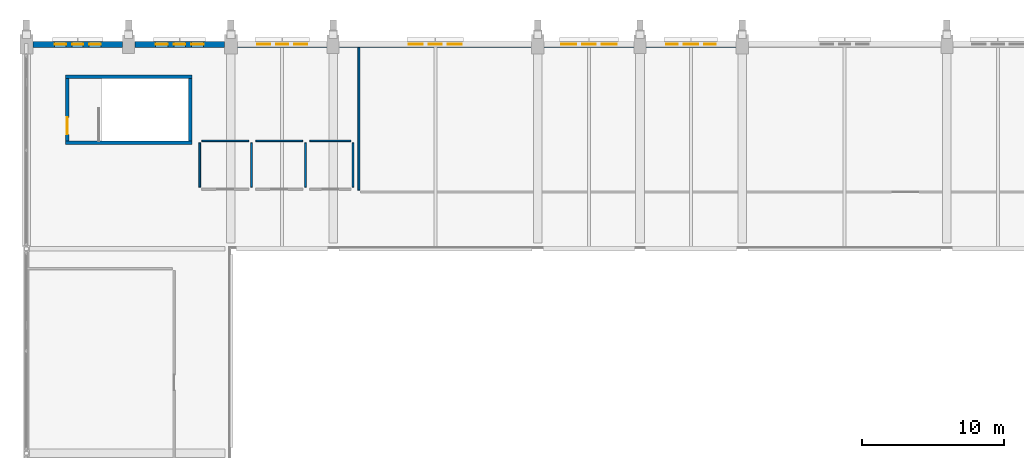
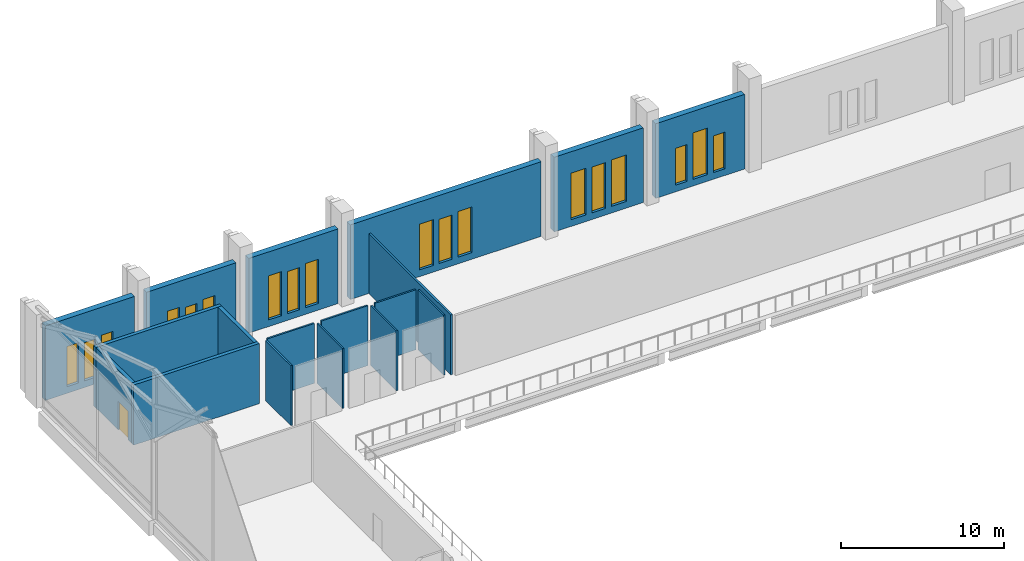
# One storey, part 169 of 220: 18 walls, 18 windows, 1 door, 19 openings.
"""IFC4 building model written with IfcOpenShell, lengths in metres."""

from ifc_helpers import new_model, si_unit, direction, frame, frame_2d, origin, place, context, subcontext, project, spatial, rectangle, extrude, material, layer, layer_set, type_object, element, fill, save


model = new_model("IFC4")

# Units and contexts
model_context = context("Model", 3, precision=1e-05, world=origin(), true_north=direction((0.0, 1.0)))
body_context = subcontext(model_context, "Body", "Model", "MODEL_VIEW")
ifc_project = project(units=[si_unit("LENGTHUNIT", "METRE"), si_unit("AREAUNIT", "SQUARE_METRE"), si_unit("VOLUMEUNIT", "CUBIC_METRE"), si_unit("PLANEANGLEUNIT", "RADIAN"), si_unit("MASSUNIT", "GRAM", prefix="KILO")], contexts=[model_context])

# Site, building, storey
site_placement = place(None, origin())
site = spatial("IfcSite", under=ifc_project, at=site_placement, CompositionType="ELEMENT")
building_placement = place(site_placement, origin())
building = spatial("IfcBuilding", under=site, at=building_placement, Name="Cendralis Lancet Convention Centre", CompositionType="ELEMENT")
storey_placement = place(building_placement, frame((0.0, 0.0, 5.39990234375)))
storey = spatial("IfcBuildingStorey", under=building, at=storey_placement, Name="L01", CompositionType="ELEMENT", Elevation=5.39990234375)

# Wall, openings, windows
ifc_material_1 = material(Name="Buff sandstone ashlar and Concrete G40 (C40/50)", Category="masonry")
ifc_layer_1 = layer(ifc_material_1, 0.419921875, Name="Buff sandstone ashlar and Concrete G40 (C40/50)")
ifc_layer_set_1 = layer_set([ifc_layer_1], Name="Buff sandstone ashlar and Concrete G40 (C40/50)")
wall_type_1 = type_object("IfcWallType", Name="ARC-EW-W420", PredefinedType="STANDARD", material=ifc_layer_set_1)
wall_1_placement = place(storey_placement, frame((0.4580078125, 136.800048828125, 0.0), z_axis=(0.0, 0.0, 1.0), x_axis=(1.0, 0.0, 0.0)))
wall_1 = element("IfcWall", 1, at=wall_1_placement, inside=storey, type_object=wall_type_1, Name="L01 V1 Exterior Wall EW-01 #0037", PredefinedType="STANDARD", context=body_context, shape_type="SweptSolid", body=[
    extrude(rectangle(XDim=6.30908203125, YDim=0.419921875, at=frame_2d((3.154541015625, 0.0))), origin(), (0.0, 0.0, 1.0), 5.585205078125),
])
opening_1_placement = place(wall_1_placement, frame((1.5244140625, 0.0, 0.5)))
opening_1 = element("IfcOpeningElement", 2, at=opening_1_placement, cuts=wall_1, Name="Opening WN-02", PredefinedType="OPENING", context=body_context, shape_type="SweptSolid", body=[
    extrude(rectangle(XDim=0.820068359375, YDim=3.0, at=frame_2d((0.41015625, 1.5))), frame((0.0, 0.219970703125, 0.0), z_axis=(0.0, -1.0, 0.0), x_axis=(1.0, 0.0, 0.0)), (0.0, 0.0, 1.0), 0.43994140625),
])
opening_2_placement = place(wall_1_placement, frame((2.764404296875, 0.0, 0.5)))
opening_2 = element("IfcOpeningElement", 3, at=opening_2_placement, cuts=wall_1, Name="Opening WN-01", PredefinedType="OPENING", context=body_context, shape_type="SweptSolid", body=[
    extrude(rectangle(XDim=0.780029296875, YDim=2.85009765625, at=frame_2d((0.39013671875, 1.425048828125))), frame((0.0, 0.219970703125, 0.0), z_axis=(0.0, -1.0, 0.0), x_axis=(1.0, 0.0, 0.0)), (0.0, 0.0, 1.0), 0.43994140625),
])
opening_3_placement = place(wall_1_placement, frame((3.964599609375, 0.0, 0.5)))
opening_3 = element("IfcOpeningElement", 4, at=opening_3_placement, cuts=wall_1, Name="Opening WN-02", PredefinedType="OPENING", context=body_context, shape_type="SweptSolid", body=[
    extrude(rectangle(XDim=0.820068359375, YDim=3.0, at=frame_2d((0.41015625, 1.5))), frame((0.0, 0.219970703125, 0.0), z_axis=(0.0, -1.0, 0.0), x_axis=(1.0, 0.0, 0.0)), (0.0, 0.0, 1.0), 0.43994140625),
])
ifc_material_2 = material(Name="Double-glazed low-E solar-control glass", Category="glass")
window_type_1 = type_object("IfcWindowType", Name="ARC-WN-LW01", PartitioningType="SINGLE_PANEL", PredefinedType="WINDOW", material=ifc_material_2)
window_1_placement = place(opening_2_placement, origin())
window_1 = element("IfcWindow", 5, at=window_1_placement, inside=storey, type_object=window_type_1, Name="Gothic Lancet Window WN-01 #0032", OverallHeight=2.85009765625, OverallWidth=0.780029296875, PartitioningType="SINGLE_PANEL", PredefinedType="WINDOW", context=body_context, shape_type="SweptSolid", body=[
    extrude(rectangle(XDim=0.780029296875, YDim=2.85009765625, at=frame_2d((0.39013671875, 1.425048828125))), frame((0.0, 0.030029296875, 0.0), z_axis=(0.0, -1.0, 0.0), x_axis=(1.0, 0.0, 0.0)), (0.0, 0.0, 1.0), 0.06005859375),
])
fill(opening_2, window_1)
window_type_2 = type_object("IfcWindowType", Name="ARC-WN-LW02", PartitioningType="SINGLE_PANEL", PredefinedType="WINDOW", material=ifc_material_2)
window_2_placement = place(opening_1_placement, origin())
window_2 = element("IfcWindow", 6, at=window_2_placement, inside=storey, type_object=window_type_2, Name="Gothic Lancet Window WN-02 #0031", OverallHeight=3.0, OverallWidth=0.820068359375, PartitioningType="SINGLE_PANEL", PredefinedType="WINDOW", context=body_context, shape_type="SweptSolid", body=[
    extrude(rectangle(XDim=0.820068359375, YDim=3.0, at=frame_2d((0.41015625, 1.5))), frame((0.0, 0.030029296875, 0.0), z_axis=(0.0, -1.0, 0.0), x_axis=(1.0, 0.0, 0.0)), (0.0, 0.0, 1.0), 0.06005859375),
])
fill(opening_1, window_2)
window_3_placement = place(opening_3_placement, origin())
window_3 = element("IfcWindow", 7, at=window_3_placement, inside=storey, type_object=window_type_2, Name="Gothic Lancet Window WN-02 #0033", OverallHeight=3.0, OverallWidth=0.820068359375, PartitioningType="SINGLE_PANEL", PredefinedType="WINDOW", context=body_context, shape_type="SweptSolid", body=[
    extrude(rectangle(XDim=0.820068359375, YDim=3.0, at=frame_2d((0.41015625, 1.5))), frame((0.0, 0.030029296875, 0.0), z_axis=(0.0, -1.0, 0.0), x_axis=(1.0, 0.0, 0.0)), (0.0, 0.0, 1.0), 0.06005859375),
])
fill(opening_3, window_3)

wall_2_placement = place(storey_placement, frame((7.633056640625, 136.800048828125, 0.0), z_axis=(0.0, 0.0, 1.0), x_axis=(1.0, 0.0, 0.0)))
wall_2 = element("IfcWall", 8, at=wall_2_placement, inside=storey, type_object=wall_type_1, Name="L01 V1 Exterior Wall EW-01 #0038", PredefinedType="STANDARD", context=body_context, shape_type="SweptSolid", body=[
    extrude(rectangle(XDim=6.308837890625, YDim=0.419921875, at=frame_2d((3.154296875, 0.0))), origin(), (0.0, 0.0, 1.0), 5.585205078125),
])
opening_4_placement = place(wall_2_placement, frame((1.464599609375, 0.0, 0.5)))
opening_4 = element("IfcOpeningElement", 9, at=opening_4_placement, cuts=wall_2, Name="Opening WN-03", PredefinedType="OPENING", context=body_context, shape_type="SweptSolid", body=[
    extrude(rectangle(XDim=0.860107421875, YDim=3.14990234375, at=frame_2d((0.43017578125, 1.574951171875))), frame((0.0, 0.219970703125, 0.0), z_axis=(0.0, -1.0, 0.0), x_axis=(1.0, 0.0, 0.0)), (0.0, 0.0, 1.0), 0.43994140625),
])
opening_5_placement = place(wall_2_placement, frame((2.744384765625, 0.0, 0.5)))
opening_5 = element("IfcOpeningElement", 10, at=opening_5_placement, cuts=wall_2, Name="Opening WN-02", PredefinedType="OPENING", context=body_context, shape_type="SweptSolid", body=[
    extrude(rectangle(XDim=0.820068359375, YDim=3.0, at=frame_2d((0.41015625, 1.5))), frame((0.0, 0.219970703125, 0.0), z_axis=(0.0, -1.0, 0.0), x_axis=(1.0, 0.0, 0.0)), (0.0, 0.0, 1.0), 0.43994140625),
])
opening_6_placement = place(wall_2_placement, frame((3.984619140625, 0.0, 0.5)))
opening_6 = element("IfcOpeningElement", 11, at=opening_6_placement, cuts=wall_2, Name="Opening WN-03", PredefinedType="OPENING", context=body_context, shape_type="SweptSolid", body=[
    extrude(rectangle(XDim=0.860107421875, YDim=3.14990234375, at=frame_2d((0.43017578125, 1.574951171875))), frame((0.0, 0.219970703125, 0.0), z_axis=(0.0, -1.0, 0.0), x_axis=(1.0, 0.0, 0.0)), (0.0, 0.0, 1.0), 0.43994140625),
])
window_4_placement = place(opening_5_placement, origin())
window_4 = element("IfcWindow", 12, at=window_4_placement, inside=storey, type_object=window_type_2, Name="Gothic Lancet Window WN-02 #0035", OverallHeight=3.0, OverallWidth=0.820068359375, PartitioningType="SINGLE_PANEL", PredefinedType="WINDOW", context=body_context, shape_type="SweptSolid", body=[
    extrude(rectangle(XDim=0.820068359375, YDim=3.0, at=frame_2d((0.41015625, 1.5))), frame((0.0, 0.030029296875, 0.0), z_axis=(0.0, -1.0, 0.0), x_axis=(1.0, 0.0, 0.0)), (0.0, 0.0, 1.0), 0.06005859375),
])
fill(opening_5, window_4)
window_type_3 = type_object("IfcWindowType", Name="ARC-WN-LW03", PartitioningType="SINGLE_PANEL", PredefinedType="WINDOW", material=ifc_material_2)
window_5_placement = place(opening_4_placement, origin())
window_5 = element("IfcWindow", 13, at=window_5_placement, inside=storey, type_object=window_type_3, Name="Gothic Lancet Window WN-03 #0034", OverallHeight=3.14990234375, OverallWidth=0.860107421875, PartitioningType="SINGLE_PANEL", PredefinedType="WINDOW", context=body_context, shape_type="SweptSolid", body=[
    extrude(rectangle(XDim=0.860107421875, YDim=3.14990234375, at=frame_2d((0.43017578125, 1.574951171875))), frame((0.0, 0.030029296875, 0.0), z_axis=(0.0, -1.0, 0.0), x_axis=(1.0, 0.0, 0.0)), (0.0, 0.0, 1.0), 0.06005859375),
])
fill(opening_4, window_5)
window_6_placement = place(opening_6_placement, origin())
window_6 = element("IfcWindow", 14, at=window_6_placement, inside=storey, type_object=window_type_3, Name="Gothic Lancet Window WN-03 #0036", OverallHeight=3.14990234375, OverallWidth=0.860107421875, PartitioningType="SINGLE_PANEL", PredefinedType="WINDOW", context=body_context, shape_type="SweptSolid", body=[
    extrude(rectangle(XDim=0.860107421875, YDim=3.14990234375, at=frame_2d((0.43017578125, 1.574951171875))), frame((0.0, 0.030029296875, 0.0), z_axis=(0.0, -1.0, 0.0), x_axis=(1.0, 0.0, 0.0)), (0.0, 0.0, 1.0), 0.06005859375),
])
fill(opening_6, window_6)

wall_3_placement = place(storey_placement, frame((14.85791015625, 136.800048828125, 0.0), z_axis=(0.0, 0.0, 1.0), x_axis=(1.0, 0.0, 0.0)))
wall_3 = element("IfcWall", 15, at=wall_3_placement, inside=storey, type_object=wall_type_1, Name="L01 V1 Exterior Wall EW-01 #0039", PredefinedType="STANDARD", context=body_context, shape_type="SweptSolid", body=[
    extrude(rectangle(XDim=6.30908203125, YDim=0.419921875, at=frame_2d((3.154541015625, 0.0))), origin(), (0.0, 0.0, 1.0), 5.585205078125),
])
opening_7_placement = place(wall_3_placement, frame((1.384521484375, 0.0, 0.5)))
opening_7 = element("IfcOpeningElement", 16, at=opening_7_placement, cuts=wall_3, Name="Opening WN-04", PredefinedType="OPENING", context=body_context, shape_type="SweptSolid", body=[
    extrude(rectangle(XDim=0.919921875, YDim=3.300048828125, at=frame_2d((0.4599609375, 1.64990234375))), frame((0.0, 0.219970703125, 0.0), z_axis=(0.0, -1.0, 0.0), x_axis=(1.0, 0.0, 0.0)), (0.0, 0.0, 1.0), 0.43994140625),
])
opening_8_placement = place(wall_3_placement, frame((2.724609375, 0.0, 0.5)))
opening_8 = element("IfcOpeningElement", 17, at=opening_8_placement, cuts=wall_3, Name="Opening WN-03", PredefinedType="OPENING", context=body_context, shape_type="SweptSolid", body=[
    extrude(rectangle(XDim=0.860107421875, YDim=3.14990234375, at=frame_2d((0.43017578125, 1.574951171875))), frame((0.0, 0.219970703125, 0.0), z_axis=(0.0, -1.0, 0.0), x_axis=(1.0, 0.0, 0.0)), (0.0, 0.0, 1.0), 0.43994140625),
])
opening_9_placement = place(wall_3_placement, frame((4.00439453125, 0.0, 0.5)))
opening_9 = element("IfcOpeningElement", 18, at=opening_9_placement, cuts=wall_3, Name="Opening WN-04", PredefinedType="OPENING", context=body_context, shape_type="SweptSolid", body=[
    extrude(rectangle(XDim=0.919921875, YDim=3.300048828125, at=frame_2d((0.4599609375, 1.64990234375))), frame((0.0, 0.219970703125, 0.0), z_axis=(0.0, -1.0, 0.0), x_axis=(1.0, 0.0, 0.0)), (0.0, 0.0, 1.0), 0.43994140625),
])
window_7_placement = place(opening_8_placement, origin())
window_7 = element("IfcWindow", 19, at=window_7_placement, inside=storey, type_object=window_type_3, Name="Gothic Lancet Window WN-03 #0038", OverallHeight=3.14990234375, OverallWidth=0.860107421875, PartitioningType="SINGLE_PANEL", PredefinedType="WINDOW", context=body_context, shape_type="SweptSolid", body=[
    extrude(rectangle(XDim=0.860107421875, YDim=3.14990234375, at=frame_2d((0.43017578125, 1.574951171875))), frame((0.0, 0.030029296875, 0.0), z_axis=(0.0, -1.0, 0.0), x_axis=(1.0, 0.0, 0.0)), (0.0, 0.0, 1.0), 0.06005859375),
])
fill(opening_8, window_7)
window_type_4 = type_object("IfcWindowType", Name="ARC-WN-LW04", PartitioningType="SINGLE_PANEL", PredefinedType="WINDOW", material=ifc_material_2)
window_8_placement = place(opening_7_placement, origin())
window_8 = element("IfcWindow", 20, at=window_8_placement, inside=storey, type_object=window_type_4, Name="Gothic Lancet Window WN-04 #0037", OverallHeight=3.300048828125, OverallWidth=0.919921875, PartitioningType="SINGLE_PANEL", PredefinedType="WINDOW", context=body_context, shape_type="SweptSolid", body=[
    extrude(rectangle(XDim=0.919921875, YDim=3.300048828125, at=frame_2d((0.4599609375, 1.64990234375))), frame((0.0, 0.030029296875, 0.0), z_axis=(0.0, -1.0, 0.0), x_axis=(1.0, 0.0, 0.0)), (0.0, 0.0, 1.0), 0.06005859375),
])
fill(opening_7, window_8)
window_9_placement = place(opening_9_placement, origin())
window_9 = element("IfcWindow", 21, at=window_9_placement, inside=storey, type_object=window_type_4, Name="Gothic Lancet Window WN-04 #0039", OverallHeight=3.300048828125, OverallWidth=0.919921875, PartitioningType="SINGLE_PANEL", PredefinedType="WINDOW", context=body_context, shape_type="SweptSolid", body=[
    extrude(rectangle(XDim=0.919921875, YDim=3.300048828125, at=frame_2d((0.4599609375, 1.64990234375))), frame((0.0, 0.030029296875, 0.0), z_axis=(0.0, -1.0, 0.0), x_axis=(1.0, 0.0, 0.0)), (0.0, 0.0, 1.0), 0.06005859375),
])
fill(opening_9, window_9)

wall_4_placement = place(storey_placement, frame((22.032958984375, 136.800048828125, 0.0), z_axis=(0.0, 0.0, 1.0), x_axis=(1.0, 0.0, 0.0)))
wall_4 = element("IfcWall", 22, at=wall_4_placement, inside=storey, type_object=wall_type_1, Name="L01 V1 Exterior Wall EW-01 #0040", PredefinedType="STANDARD", context=body_context, shape_type="SweptSolid", body=[
    extrude(rectangle(XDim=13.509033203125, YDim=0.419921875, at=frame_2d((6.75439453125, 0.0))), origin(), (0.0, 0.0, 1.0), 5.585205078125),
])
opening_10_placement = place(wall_4_placement, frame((4.89453125, 0.0, 0.5)))
opening_10 = element("IfcOpeningElement", 23, at=opening_10_placement, cuts=wall_4, Name="Opening WN-05", PredefinedType="OPENING", context=body_context, shape_type="SweptSolid", body=[
    extrude(rectangle(XDim=0.97998046875, YDim=3.419921875, at=frame_2d((0.489990234375, 1.7099609375))), frame((0.0, 0.219970703125, 0.0), z_axis=(0.0, -1.0, 0.0), x_axis=(1.0, 0.0, 0.0)), (0.0, 0.0, 1.0), 0.43994140625),
])
opening_11_placement = place(wall_4_placement, frame((6.29443359375, 0.0, 0.5)))
opening_11 = element("IfcOpeningElement", 24, at=opening_11_placement, cuts=wall_4, Name="Opening WN-04", PredefinedType="OPENING", context=body_context, shape_type="SweptSolid", body=[
    extrude(rectangle(XDim=0.919921875, YDim=3.300048828125, at=frame_2d((0.4599609375, 1.64990234375))), frame((0.0, 0.219970703125, 0.0), z_axis=(0.0, -1.0, 0.0), x_axis=(1.0, 0.0, 0.0)), (0.0, 0.0, 1.0), 0.43994140625),
])
opening_12_placement = place(wall_4_placement, frame((7.634521484375, 0.0, 0.5)))
opening_12 = element("IfcOpeningElement", 25, at=opening_12_placement, cuts=wall_4, Name="Opening WN-05", PredefinedType="OPENING", context=body_context, shape_type="SweptSolid", body=[
    extrude(rectangle(XDim=0.97998046875, YDim=3.419921875, at=frame_2d((0.489990234375, 1.7099609375))), frame((0.0, 0.219970703125, 0.0), z_axis=(0.0, -1.0, 0.0), x_axis=(1.0, 0.0, 0.0)), (0.0, 0.0, 1.0), 0.43994140625),
])
window_10_placement = place(opening_11_placement, origin())
window_10 = element("IfcWindow", 26, at=window_10_placement, inside=storey, type_object=window_type_4, Name="Gothic Lancet Window WN-04 #0041", OverallHeight=3.300048828125, OverallWidth=0.919921875, PartitioningType="SINGLE_PANEL", PredefinedType="WINDOW", context=body_context, shape_type="SweptSolid", body=[
    extrude(rectangle(XDim=0.919921875, YDim=3.300048828125, at=frame_2d((0.4599609375, 1.64990234375))), frame((0.0, 0.030029296875, 0.0), z_axis=(0.0, -1.0, 0.0), x_axis=(1.0, 0.0, 0.0)), (0.0, 0.0, 1.0), 0.06005859375),
])
fill(opening_11, window_10)
window_type_5 = type_object("IfcWindowType", Name="ARC-WN-LW05", PartitioningType="SINGLE_PANEL", PredefinedType="WINDOW", material=ifc_material_2)
window_11_placement = place(opening_10_placement, origin())
window_11 = element("IfcWindow", 27, at=window_11_placement, inside=storey, type_object=window_type_5, Name="Gothic Lancet Window WN-05 #0040", OverallHeight=3.419921875, OverallWidth=0.97998046875, PartitioningType="SINGLE_PANEL", PredefinedType="WINDOW", context=body_context, shape_type="SweptSolid", body=[
    extrude(rectangle(XDim=0.97998046875, YDim=3.419921875, at=frame_2d((0.489990234375, 1.7099609375))), frame((0.0, 0.030029296875, 0.0), z_axis=(0.0, -1.0, 0.0), x_axis=(1.0, 0.0, 0.0)), (0.0, 0.0, 1.0), 0.06005859375),
])
fill(opening_10, window_11)
window_12_placement = place(opening_12_placement, origin())
window_12 = element("IfcWindow", 28, at=window_12_placement, inside=storey, type_object=window_type_5, Name="Gothic Lancet Window WN-05 #0042", OverallHeight=3.419921875, OverallWidth=0.97998046875, PartitioningType="SINGLE_PANEL", PredefinedType="WINDOW", context=body_context, shape_type="SweptSolid", body=[
    extrude(rectangle(XDim=0.97998046875, YDim=3.419921875, at=frame_2d((0.489990234375, 1.7099609375))), frame((0.0, 0.030029296875, 0.0), z_axis=(0.0, -1.0, 0.0), x_axis=(1.0, 0.0, 0.0)), (0.0, 0.0, 1.0), 0.06005859375),
])
fill(opening_12, window_12)

wall_5_placement = place(storey_placement, frame((36.4580078125, 136.800048828125, 0.0), z_axis=(0.0, 0.0, 1.0), x_axis=(1.0, 0.0, 0.0)))
wall_5 = element("IfcWall", 29, at=wall_5_placement, inside=storey, type_object=wall_type_1, Name="L01 V1 Exterior Wall EW-01 #0041", PredefinedType="STANDARD", context=body_context, shape_type="SweptSolid", body=[
    extrude(rectangle(XDim=6.30908203125, YDim=0.419921875, at=frame_2d((3.154541015625, 0.0))), origin(), (0.0, 0.0, 1.0), 5.585205078125),
])
opening_13_placement = place(wall_5_placement, frame((1.20458984375, 0.0, 0.5)))
opening_13 = element("IfcOpeningElement", 30, at=opening_13_placement, cuts=wall_5, Name="Opening WN-06", PredefinedType="OPENING", context=body_context, shape_type="SweptSolid", body=[
    extrude(rectangle(XDim=1.0400390625, YDim=3.47998046875, at=frame_2d((0.52001953125, 1.739990234375))), frame((0.0, 0.219970703125, 0.0), z_axis=(0.0, -1.0, 0.0), x_axis=(1.0, 0.0, 0.0)), (0.0, 0.0, 1.0), 0.43994140625),
])
opening_14_placement = place(wall_5_placement, frame((2.66455078125, 0.0, 0.5)))
opening_14 = element("IfcOpeningElement", 31, at=opening_14_placement, cuts=wall_5, Name="Opening WN-05", PredefinedType="OPENING", context=body_context, shape_type="SweptSolid", body=[
    extrude(rectangle(XDim=0.97998046875, YDim=3.419921875, at=frame_2d((0.489990234375, 1.7099609375))), frame((0.0, 0.219970703125, 0.0), z_axis=(0.0, -1.0, 0.0), x_axis=(1.0, 0.0, 0.0)), (0.0, 0.0, 1.0), 0.43994140625),
])
opening_15_placement = place(wall_5_placement, frame((4.064453125, 0.0, 0.5)))
opening_15 = element("IfcOpeningElement", 32, at=opening_15_placement, cuts=wall_5, Name="Opening WN-06", PredefinedType="OPENING", context=body_context, shape_type="SweptSolid", body=[
    extrude(rectangle(XDim=1.0400390625, YDim=3.47998046875, at=frame_2d((0.52001953125, 1.739990234375))), frame((0.0, 0.219970703125, 0.0), z_axis=(0.0, -1.0, 0.0), x_axis=(1.0, 0.0, 0.0)), (0.0, 0.0, 1.0), 0.43994140625),
])
window_13_placement = place(opening_14_placement, origin())
window_13 = element("IfcWindow", 33, at=window_13_placement, inside=storey, type_object=window_type_5, Name="Gothic Lancet Window WN-05 #0044", OverallHeight=3.419921875, OverallWidth=0.97998046875, PartitioningType="SINGLE_PANEL", PredefinedType="WINDOW", context=body_context, shape_type="SweptSolid", body=[
    extrude(rectangle(XDim=0.97998046875, YDim=3.419921875, at=frame_2d((0.489990234375, 1.7099609375))), frame((0.0, 0.030029296875, 0.0), z_axis=(0.0, -1.0, 0.0), x_axis=(1.0, 0.0, 0.0)), (0.0, 0.0, 1.0), 0.06005859375),
])
fill(opening_14, window_13)
window_type_6 = type_object("IfcWindowType", Name="ARC-WN-LW06", PartitioningType="SINGLE_PANEL", PredefinedType="WINDOW", material=ifc_material_2)
window_14_placement = place(opening_13_placement, origin())
window_14 = element("IfcWindow", 34, at=window_14_placement, inside=storey, type_object=window_type_6, Name="Gothic Lancet Window WN-06 #0043", OverallHeight=3.47998046875, OverallWidth=1.0400390625, PartitioningType="SINGLE_PANEL", PredefinedType="WINDOW", context=body_context, shape_type="SweptSolid", body=[
    extrude(rectangle(XDim=1.0400390625, YDim=3.47998046875, at=frame_2d((0.52001953125, 1.739990234375))), frame((0.0, 0.030029296875, 0.0), z_axis=(0.0, -1.0, 0.0), x_axis=(1.0, 0.0, 0.0)), (0.0, 0.0, 1.0), 0.06005859375),
])
fill(opening_13, window_14)
window_15_placement = place(opening_15_placement, origin())
window_15 = element("IfcWindow", 35, at=window_15_placement, inside=storey, type_object=window_type_6, Name="Gothic Lancet Window WN-06 #0045", OverallHeight=3.47998046875, OverallWidth=1.0400390625, PartitioningType="SINGLE_PANEL", PredefinedType="WINDOW", context=body_context, shape_type="SweptSolid", body=[
    extrude(rectangle(XDim=1.0400390625, YDim=3.47998046875, at=frame_2d((0.52001953125, 1.739990234375))), frame((0.0, 0.030029296875, 0.0), z_axis=(0.0, -1.0, 0.0), x_axis=(1.0, 0.0, 0.0)), (0.0, 0.0, 1.0), 0.06005859375),
])
fill(opening_15, window_15)

wall_6_placement = place(storey_placement, frame((43.633056640625, 136.800048828125, 0.0), z_axis=(0.0, 0.0, 1.0), x_axis=(1.0, 0.0, 0.0)))
wall_6 = element("IfcWall", 36, at=wall_6_placement, inside=storey, type_object=wall_type_1, Name="L01 V1 Exterior Wall EW-01 #0042", PredefinedType="STANDARD", context=body_context, shape_type="SweptSolid", body=[
    extrude(rectangle(XDim=6.308837890625, YDim=0.419921875, at=frame_2d((3.154296875, 0.0))), origin(), (0.0, 0.0, 1.0), 5.585205078125),
])
opening_16_placement = place(wall_6_placement, frame((1.41455078125, 0.0, 0.5)))
opening_16 = element("IfcOpeningElement", 37, at=opening_16_placement, cuts=wall_6, Name="Opening WN-07", PredefinedType="OPENING", context=body_context, shape_type="SweptSolid", body=[
    extrude(rectangle(XDim=0.800048828125, YDim=2.75, at=frame_2d((0.39990234375, 1.375))), frame((0.0, 0.219970703125, 0.0), z_axis=(0.0, -1.0, 0.0), x_axis=(1.0, 0.0, 0.0)), (0.0, 0.0, 1.0), 0.43994140625),
])
opening_17_placement = place(wall_6_placement, frame((2.634521484375, 0.0, 0.5)))
opening_17 = element("IfcOpeningElement", 38, at=opening_17_placement, cuts=wall_6, Name="Opening WN-06", PredefinedType="OPENING", context=body_context, shape_type="SweptSolid", body=[
    extrude(rectangle(XDim=1.0400390625, YDim=3.47998046875, at=frame_2d((0.52001953125, 1.739990234375))), frame((0.0, 0.219970703125, 0.0), z_axis=(0.0, -1.0, 0.0), x_axis=(1.0, 0.0, 0.0)), (0.0, 0.0, 1.0), 0.43994140625),
])
opening_18_placement = place(wall_6_placement, frame((4.094482421875, 0.0, 0.5)))
opening_18 = element("IfcOpeningElement", 39, at=opening_18_placement, cuts=wall_6, Name="Opening WN-07", PredefinedType="OPENING", context=body_context, shape_type="SweptSolid", body=[
    extrude(rectangle(XDim=0.800048828125, YDim=2.75, at=frame_2d((0.39990234375, 1.375))), frame((0.0, 0.219970703125, 0.0), z_axis=(0.0, -1.0, 0.0), x_axis=(1.0, 0.0, 0.0)), (0.0, 0.0, 1.0), 0.43994140625),
])
window_16_placement = place(opening_17_placement, origin())
window_16 = element("IfcWindow", 40, at=window_16_placement, inside=storey, type_object=window_type_6, Name="Gothic Lancet Window WN-06 #0047", OverallHeight=3.47998046875, OverallWidth=1.0400390625, PartitioningType="SINGLE_PANEL", PredefinedType="WINDOW", context=body_context, shape_type="SweptSolid", body=[
    extrude(rectangle(XDim=1.0400390625, YDim=3.47998046875, at=frame_2d((0.52001953125, 1.739990234375))), frame((0.0, 0.030029296875, 0.0), z_axis=(0.0, -1.0, 0.0), x_axis=(1.0, 0.0, 0.0)), (0.0, 0.0, 1.0), 0.06005859375),
])
fill(opening_17, window_16)
window_type_7 = type_object("IfcWindowType", Name="ARC-WN-LW07", PartitioningType="SINGLE_PANEL", PredefinedType="WINDOW", material=ifc_material_2)
window_17_placement = place(opening_16_placement, origin())
window_17 = element("IfcWindow", 41, at=window_17_placement, inside=storey, type_object=window_type_7, Name="Gothic Lancet Window WN-07 #0046", OverallHeight=2.75, OverallWidth=0.800048828125, PartitioningType="SINGLE_PANEL", PredefinedType="WINDOW", context=body_context, shape_type="SweptSolid", body=[
    extrude(rectangle(XDim=0.800048828125, YDim=2.75, at=frame_2d((0.39990234375, 1.375))), frame((0.0, 0.030029296875, 0.0), z_axis=(0.0, -1.0, 0.0), x_axis=(1.0, 0.0, 0.0)), (0.0, 0.0, 1.0), 0.06005859375),
])
fill(opening_16, window_17)
window_18_placement = place(opening_18_placement, origin())
window_18 = element("IfcWindow", 42, at=window_18_placement, inside=storey, type_object=window_type_7, Name="Gothic Lancet Window WN-07 #0048", OverallHeight=2.75, OverallWidth=0.800048828125, PartitioningType="SINGLE_PANEL", PredefinedType="WINDOW", context=body_context, shape_type="SweptSolid", body=[
    extrude(rectangle(XDim=0.800048828125, YDim=2.75, at=frame_2d((0.39990234375, 1.375))), frame((0.0, 0.030029296875, 0.0), z_axis=(0.0, -1.0, 0.0), x_axis=(1.0, 0.0, 0.0)), (0.0, 0.0, 1.0), 0.06005859375),
])
fill(opening_18, window_18)

# Walls
ifc_material_3 = material(Name="Acoustic fire-rated gypsum board on steel studs", Category="steel")
ifc_layer_2 = layer(ifc_material_3, 0.1201171875, Name="Acoustic fire-rated gypsum board on steel studs")
ifc_layer_set_2 = layer_set([ifc_layer_2], Name="Acoustic fire-rated gypsum board on steel studs")
wall_type_2 = type_object("IfcWallType", Name="ARC-IW-P120", PredefinedType="PARTITIONING", material=ifc_layer_set_2)
wall_7_placement = place(storey_placement, frame((12.35009765625, 130.0, 0.0), z_axis=(0.0, 0.0, 1.0), x_axis=(1.0, 0.0, 0.0)))
element("IfcWall", 43, at=wall_7_placement, inside=storey, type_object=wall_type_2, Name="L01 Interior Partition IW-05 #0046", PredefinedType="PARTITIONING", context=body_context, shape_type="SweptSolid", body=[
    extrude(rectangle(XDim=3.2998046875, YDim=0.1201171875, at=frame_2d((1.64990234375, 0.0))), origin(), (0.0, 0.0, 1.0), 4.485107421875),
])
for number, where, z_axis, x_axis, name in (
    (44, (12.199951171875, 126.739990234375, 0.0), (0.0, 0.0, 1.0), (0.0, 1.0, 0.0), "L01 Interior Partition IW-05 #0047"),
    (45, (15.85009765625, 126.739990234375, 0.0), (0.0, 0.0, 1.0), (0.0, 1.0, 0.0), "L01 Interior Partition IW-05 #0048"),
):
    element("IfcWall", number, at=place(storey_placement, frame(where, z_axis=z_axis, x_axis=x_axis)), inside=storey, type_object=wall_type_2, Name=name, PredefinedType="PARTITIONING", context=body_context, shape_type="SweptSolid", body=[
        extrude(rectangle(XDim=3.1201171875, YDim=0.1201171875, at=frame_2d((1.56005859375, 0.0))), origin(), (0.0, 0.0, 1.0), 4.485107421875),
    ])
wall_8_placement = place(storey_placement, frame((16.14990234375, 130.0, 0.0), z_axis=(0.0, 0.0, 1.0), x_axis=(1.0, 0.0, 0.0)))
element("IfcWall", 46, at=wall_8_placement, inside=storey, type_object=wall_type_2, Name="L01 Interior Partition IW-05 #0050", PredefinedType="PARTITIONING", context=body_context, shape_type="SweptSolid", body=[
    extrude(rectangle(XDim=3.300048828125, YDim=0.1201171875, at=frame_2d((1.64990234375, 0.0))), origin(), (0.0, 0.0, 1.0), 4.485107421875),
])
wall_9_placement = place(storey_placement, frame((19.64990234375, 126.739990234375, 0.0), z_axis=(0.0, 0.0, 1.0), x_axis=(0.0, 1.0, 0.0)))
element("IfcWall", 47, at=wall_9_placement, inside=storey, type_object=wall_type_2, Name="L01 Interior Partition IW-05 #0051", PredefinedType="PARTITIONING", context=body_context, shape_type="SweptSolid", body=[
    extrude(rectangle(XDim=3.1201171875, YDim=0.1201171875, at=frame_2d((1.56005859375, 0.0))), origin(), (0.0, 0.0, 1.0), 4.485107421875),
])
wall_10_placement = place(storey_placement, frame((19.949951171875, 130.0, 0.0), z_axis=(0.0, 0.0, 1.0), x_axis=(1.0, 0.0, 0.0)))
element("IfcWall", 48, at=wall_10_placement, inside=storey, type_object=wall_type_2, Name="L01 Interior Partition IW-05 #0053", PredefinedType="PARTITIONING", context=body_context, shape_type="SweptSolid", body=[
    extrude(rectangle(XDim=2.900146484375, YDim=0.1201171875, at=frame_2d((1.4501953125, 0.0))), origin(), (0.0, 0.0, 1.0), 4.485107421875),
])
wall_11_placement = place(storey_placement, frame((23.0, 126.739990234375, 0.0), z_axis=(0.0, 0.0, 1.0), x_axis=(0.0, 1.0, 0.0)))
element("IfcWall", 49, at=wall_11_placement, inside=storey, type_object=wall_type_2, Name="L01 Interior Partition IW-05 #0054", PredefinedType="PARTITIONING", context=body_context, shape_type="SweptSolid", body=[
    extrude(rectangle(XDim=3.1201171875, YDim=0.1201171875, at=frame_2d((1.56005859375, 0.0))), origin(), (0.0, 0.0, 1.0), 4.485107421875),
])
ifc_layer_3 = layer(ifc_material_3, 0.139892578125, Name="Acoustic fire-rated gypsum board on steel studs")
ifc_layer_set_3 = layer_set([ifc_layer_3], Name="Acoustic fire-rated gypsum board on steel studs")
wall_type_3 = type_object("IfcWallType", Name="ARC-IW-P140", PredefinedType="PARTITIONING", material=ifc_layer_set_3)
wall_12_placement = place(storey_placement, frame((23.39990234375, 126.5400390625, 0.0), z_axis=(0.0, 0.0, 1.0), x_axis=(0.0, 1.0, 0.0)))
element("IfcWall", 50, at=wall_12_placement, inside=storey, type_object=wall_type_3, Name="L01 Interior Partition IW-04 #0030", PredefinedType="PARTITIONING", context=body_context, shape_type="SweptSolid", body=[
    extrude(rectangle(XDim=10.030029296875, YDim=0.139892578125, at=frame_2d((5.01513671875, 0.0))), origin(), (0.0, 0.0, 1.0), 4.485107421875),
])

# Wall, opening, door
ifc_material_4 = material(Name="Concrete G40 (C40/50)", Category="concrete")
ifc_layer_4 = layer(ifc_material_4, 0.25, Name="Concrete G40 (C40/50)")
ifc_layer_set_4 = layer_set([ifc_layer_4], Name="Concrete G40 (C40/50)")
wall_type_4 = type_object("IfcWallType", Name="STR-SW-CW250", PredefinedType="SHEAR", material=ifc_layer_set_4)
wall_13_placement = place(storey_placement, frame((2.875, 130.0, 0.0), z_axis=(0.0, 0.0, 1.0), x_axis=(0.0, 1.0, 0.0)))
wall_13 = element("IfcWall", 51, at=wall_13_placement, inside=storey, type_object=wall_type_4, Name="L01 Stair Core ST-02 West Shear Wall", PredefinedType="SHEAR", context=body_context, shape_type="SweptSolid", body=[
    extrude(rectangle(XDim=4.3798828125, YDim=0.25, at=frame_2d((2.18994140625, 0.0))), origin(), (0.0, 0.0, 1.0), 4.5),
])
opening_19_placement = place(wall_13_placement, frame((0.449951171875, 0.0, 0.0)))
opening_19 = element("IfcOpeningElement", 52, at=opening_19_placement, cuts=wall_13, Name="Opening SD-12", PredefinedType="OPENING", context=body_context, shape_type="SweptSolid", body=[
    extrude(rectangle(XDim=1.199951171875, YDim=2.14990234375, at=frame_2d((0.60009765625, 1.074951171875))), frame((0.0, 0.135009765625, 0.0), z_axis=(0.0, -1.0, 0.0), x_axis=(1.0, 0.0, 0.0)), (0.0, 0.0, 1.0), 0.27001953125),
])
ifc_material_5 = material(Name="Steel S355", Category="steel")
door_type = type_object("IfcDoorType", Name="ARC-DR-ST12", OperationType="NOTDEFINED", PredefinedType="DOOR", material=ifc_material_5)
door_placement = place(opening_19_placement, frame((1.199951171875, 0.0, 0.0), z_axis=(0.0, 0.0, 1.0), x_axis=(-1.0, 0.0, 0.0)))
door = element("IfcDoor", 53, at=door_placement, inside=storey, type_object=door_type, Name="L01-D069 L01 Exit Stair ST-02 Fire Door", OperationType="SINGLE_SWING_LEFT", OverallHeight=2.14990234375, OverallWidth=1.199951171875, PredefinedType="DOOR", context=body_context, shape_type="SweptSolid", body=[
    extrude(rectangle(XDim=1.199951171875, YDim=2.14990234375, at=frame_2d((0.60009765625, 1.074951171875))), frame((0.0, 0.02490234375, 0.0), z_axis=(0.0, -1.0, 0.0), x_axis=(1.0, 0.0, 0.0)), (0.0, 0.0, 1.0), 0.050048828125),
])
fill(opening_19, door)

# Walls
wall_14_placement = place(storey_placement, frame((11.52490234375, 130.0, 0.0), z_axis=(0.0, 0.0, 1.0), x_axis=(0.0, 1.0, 0.0)))
element("IfcWall", 54, at=wall_14_placement, inside=storey, type_object=wall_type_4, Name="L01 Stair Core ST-02 East Shear Wall", PredefinedType="SHEAR", context=body_context, shape_type="SweptSolid", body=[
    extrude(rectangle(XDim=4.3798828125, YDim=0.25, at=frame_2d((2.18994140625, 0.0))), origin(), (0.0, 0.0, 1.0), 4.5),
])
for number, where, z_axis, x_axis, name in (
    (55, (2.75, 129.875, 0.0), (0.0, 0.0, 1.0), (1.0, 0.0, 0.0), "L01 Stair Core ST-02 South Shear Wall"),
    (56, (2.75, 134.5048828125, 0.0), (0.0, 0.0, 1.0), (1.0, 0.0, 0.0), "L01 Stair Core ST-02 North Shear Wall"),
):
    element("IfcWall", number, at=place(storey_placement, frame(where, z_axis=z_axis, x_axis=x_axis)), inside=storey, type_object=wall_type_4, Name=name, PredefinedType="SHEAR", context=body_context, shape_type="SweptSolid", body=[
        extrude(rectangle(XDim=8.89990234375, YDim=0.25, at=frame_2d((4.449951171875, 0.0))), origin(), (0.0, 0.0, 1.0), 4.5),
    ])

save(model, "model.ifc")
